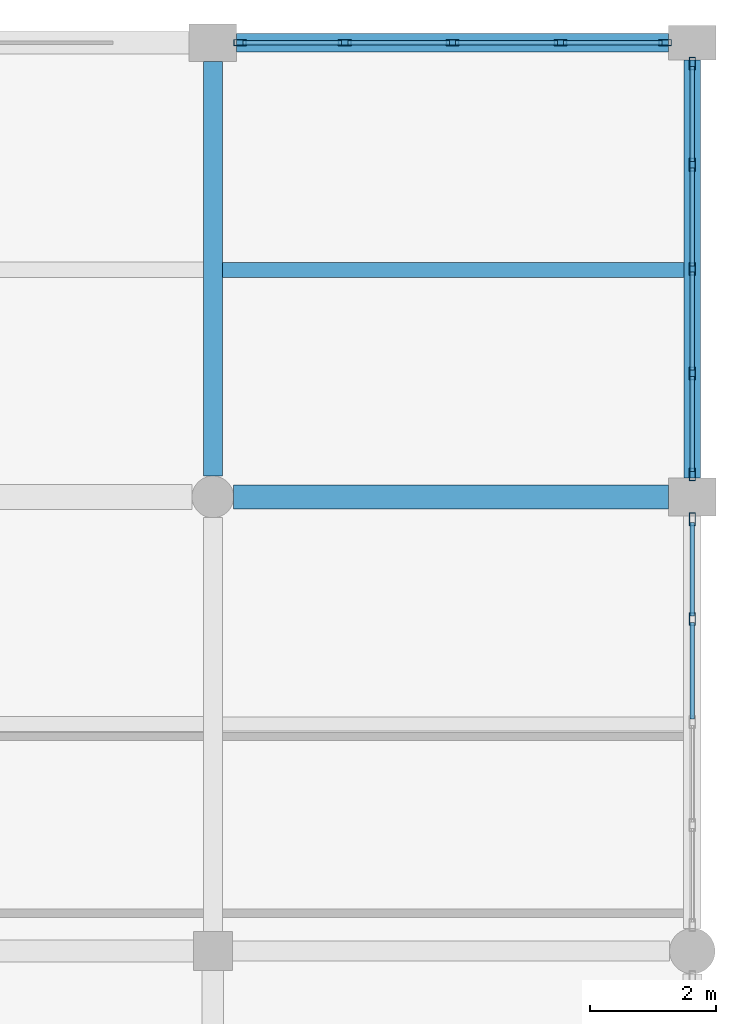
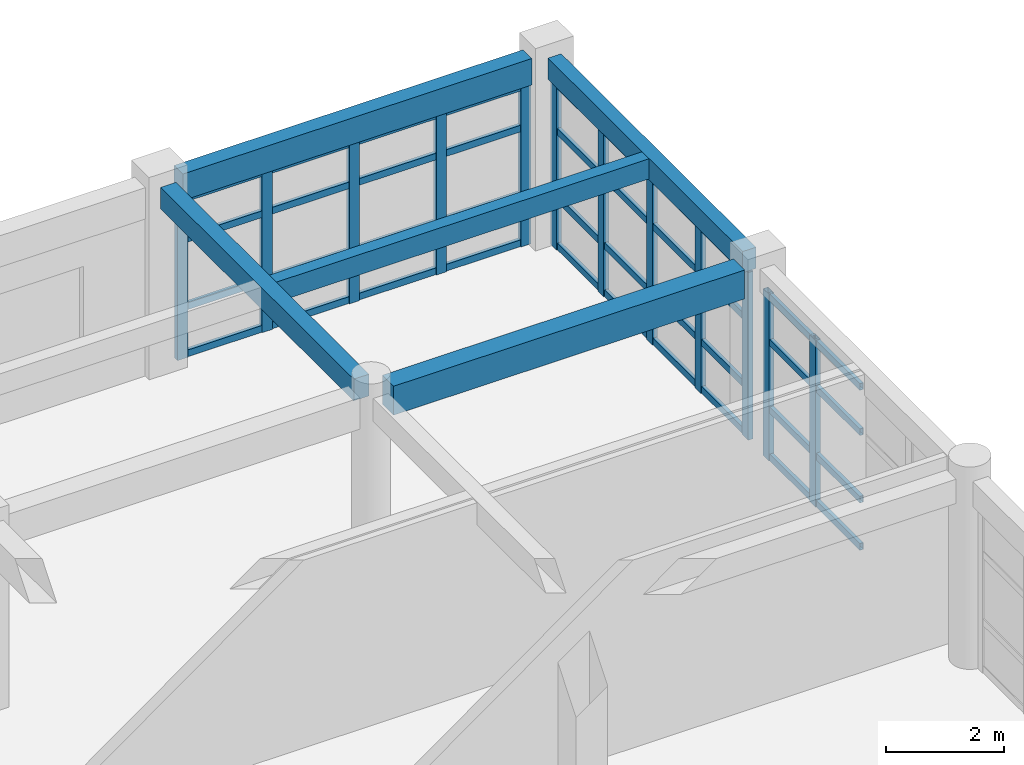
# One storey, part 141 of 195: 52 members, 5 beams, 3 elements without a shape of their own.
"""IFC4 building model written with IfcOpenShell, lengths in metres."""

import ifcopenshell
import ifcopenshell.guid

model = None  # the IFC model being written
_history = None  # IfcOwnerHistory: only IFC2X3 demands one
_inside = {}  # id of a spatial element -> (the spatial element, [elements in it])
_under = {}  # id of a project, library or spatial element -> (it, [spatial elements below it])
_declared = {}  # id of a project -> (the project, [libraries it declares])
_typed = {}  # id of a type object -> (the type object, [elements of that type])
_made_of = {}  # id of a material, layer set ... -> (it, [elements and type objects made of it])


def new_model(schema):
    """Start an empty IFC model of exactly this schema.

    Asked for "IFC4X3", IfcOpenShell would pick the latest addendum, in which some entities
    have other attributes; the version numbers below select the first issue.
    IFC2X3 requires an IfcOwnerHistory on every rooted entity: one is made here for all.
    """
    global model, _history
    if schema == "IFC4X3":
        model = ifcopenshell.file(schema_version=(4, 3, 0, 0))
    else:
        model = ifcopenshell.file(schema=schema)
    _inside.clear()
    _under.clear()
    _declared.clear()
    _typed.clear()
    _made_of.clear()
    _history = None
    if model.schema == "IFC2X3":
        org = make("IfcOrganization", Name="unknown")
        user = make(
            "IfcPersonAndOrganization",
            ThePerson=make("IfcPerson", FamilyName="unknown"),
            TheOrganization=org,
        )
        app = make(
            "IfcApplication",
            ApplicationDeveloper=org,
            Version="unknown",
            ApplicationFullName="unknown",
            ApplicationIdentifier="unknown",
        )
        _history = make(
            "IfcOwnerHistory",
            OwningUser=user,
            OwningApplication=app,
            ChangeAction="ADDED",
            CreationDate=0,
        )
    return model


def make(cls, **values):
    """One entity of the class cls with the attributes given. An attribute that is None is left unset."""
    return model.create_entity(
        cls, **{name: value for name, value in values.items() if value is not None}
    )


def rooted(cls, **values):
    """An entity with a GlobalId (a new one), such as an element, a storey or a relation."""
    return make(cls, GlobalId=ifcopenshell.guid.new(), OwnerHistory=_history, **values)


def si_unit(unit_type, name, prefix=None):
    """IfcSIUnit, for example si_unit("LENGTHUNIT", "METRE", prefix="MILLI")."""
    return make("IfcSIUnit", UnitType=unit_type, Prefix=prefix, Name=name)


def assignment(units):
    """IfcUnitAssignment: the units of a project."""
    return None if units is None else make("IfcUnitAssignment", Units=units)


def point(xyz):
    """IfcCartesianPoint."""
    return None if xyz is None else make("IfcCartesianPoint", Coordinates=xyz)


def direction(xyz):
    """IfcDirection."""
    return None if xyz is None else make("IfcDirection", DirectionRatios=xyz)


def frame(location, z_axis=None, x_axis=None):
    """IfcAxis2Placement3D, a coordinate frame: its origin and axes. An axis left out is left unset."""
    return make(
        "IfcAxis2Placement3D",
        Location=point(location),
        Axis=direction(z_axis),
        RefDirection=direction(x_axis),
    )


def frame_2d(location, x_axis=None):
    """IfcAxis2Placement2D, a coordinate frame in the plane: its origin and x axis."""
    return make(
        "IfcAxis2Placement2D", Location=point(location), RefDirection=direction(x_axis)
    )


def origin():
    """The frame at (0, 0, 0) with its axes left unset."""
    return frame((0.0, 0.0, 0.0))


def origin_2d():
    """The frame at (0, 0) in the plane with its x axis left unset."""
    return frame_2d((0.0, 0.0))


def place(relative_to, where):
    """IfcLocalPlacement: puts the frame where relative to a parent placement (None: the world)."""
    return make(
        "IfcLocalPlacement", PlacementRelTo=relative_to, RelativePlacement=where
    )


def context(
    kind, dimensions, precision=None, world=None, true_north=None, identifier=None
):
    """IfcGeometricRepresentationContext, for example the 3D "Model" context."""
    return make(
        "IfcGeometricRepresentationContext",
        ContextIdentifier=identifier,
        ContextType=kind,
        CoordinateSpaceDimension=dimensions,
        Precision=precision,
        WorldCoordinateSystem=world,
        TrueNorth=true_north,
    )


def subcontext(parent, identifier, kind, view, scale=None):
    """IfcGeometricRepresentationSubContext, for example "Body" below "Model"."""
    return make(
        "IfcGeometricRepresentationSubContext",
        ContextIdentifier=identifier,
        ContextType=kind,
        ParentContext=parent,
        TargetScale=scale,
        TargetView=view,
    )


def project(units=None, contexts=None):
    """IfcProject with its units and contexts."""
    return rooted(
        "IfcProject",
        Name="project",
        RepresentationContexts=contexts,
        UnitsInContext=assignment(units),
    )


def spatial(cls, under=None, at=None, **own):
    """A site, building, storey or space (cls), placed at a placement, below another one or the project."""
    s = rooted(cls, ObjectPlacement=at, **own)
    if under is not None:
        _under.setdefault(under.id(), (under, []))[1].append(s)
    return s


def profile(cls, at=None, kind="AREA", **sizes):
    """A parametric profile (cls). Its sizes go by their IFC names, for example OverallWidth=200.0."""
    return make(cls, ProfileType=kind, Position=at, **sizes)


def rectangle(**sizes):
    """IfcRectangleProfileDef."""
    return profile("IfcRectangleProfileDef", **sizes)


def hollow_rectangle(**sizes):
    """IfcRectangleHollowProfileDef."""
    return profile("IfcRectangleHollowProfileDef", **sizes)


def extrude(swept, where, along, depth):
    """IfcExtrudedAreaSolid: the profile swept, set in the frame where, extruded along a direction by depth."""
    return make(
        "IfcExtrudedAreaSolid",
        SweptArea=swept,
        Position=where,
        ExtrudedDirection=direction(along),
        Depth=depth,
    )


def shape(context_of_items, identifier, shape_type, items):
    """IfcShapeRepresentation: the items that make up one representation, for example the "Body"."""
    return make(
        "IfcShapeRepresentation",
        ContextOfItems=context_of_items,
        RepresentationIdentifier=identifier,
        RepresentationType=shape_type,
        Items=items,
    )


def material(Name=None, Category=None):
    """IfcMaterial."""
    return make("IfcMaterial", Name=Name, Category=Category)


def material_profile(
    of_material, cross_section, Name=None, Category=None, Priority=None
):
    """IfcMaterialProfile: a cross section and its material."""
    return make(
        "IfcMaterialProfile",
        Name=Name,
        Material=of_material,
        Profile=cross_section,
        Priority=Priority,
        Category=Category,
    )


def profile_set(profiles, Name=None, composite=None):
    """IfcMaterialProfileSet."""
    return make(
        "IfcMaterialProfileSet",
        Name=Name,
        MaterialProfiles=profiles,
        CompositeProfile=composite,
    )


def made_of(thing, what):
    """Note that an element or type object is made of a material, layer set ...; save() writes the relation."""
    if what is not None:
        _made_of.setdefault(what.id(), (what, []))[1].append(thing)
    return thing


def type_object(cls, material=None, **own):
    """A type object (cls), such as IfcWallType, which elements share."""
    return made_of(rooted(cls, **own), material)


def element(
    cls,
    number,
    at=None,
    inside=None,
    cuts=None,
    type_object=None,
    material=None,
    context=None,
    identifier="Body",
    shape_type=None,
    held_by="IfcProductDefinitionShape",
    body=None,
    shapes=None,
    **own,
):
    """One element of the class cls, such as IfcWall. Its Tag is "e" and its number.

    at: its placement. inside: the storey or other place that contains it. cuts: it is an
    opening in that element (IfcRelVoidsElement). A single representation is given by context,
    identifier, shape_type and body (its items); several are given by shapes. held_by: the class
    of the entity that holds the representations. save() writes the other relations.
    """
    e = rooted(cls, Tag="e%d" % number, ObjectPlacement=at, **own)
    if body is not None:
        shapes = [shape(context, identifier, shape_type, body)]
    if shapes is not None:
        e.Representation = make(held_by, Representations=shapes)
    if inside is not None:
        _inside.setdefault(inside.id(), (inside, []))[1].append(e)
    if cuts is not None:
        rooted(
            "IfcRelVoidsElement", RelatingBuildingElement=cuts, RelatedOpeningElement=e
        )
    if type_object is not None:
        _typed.setdefault(type_object.id(), (type_object, []))[1].append(e)
    return made_of(e, material)


def aggregate(whole, parts):
    """IfcRelAggregates: a whole, such as a stair, and the parts it consists of."""
    return rooted("IfcRelAggregates", RelatingObject=whole, RelatedObjects=parts)


def save(model, path):
    """Write the relations noted so far, then the file.

    IfcRelAggregates (storeys below a building ...), IfcRelContainedInSpatialStructure (elements
    in a storey), IfcRelDefinesByType, IfcRelAssociatesMaterial and IfcRelDeclares: one each for
    every whole, place, type object, material and project.
    """
    for whole, parts in _under.values():
        aggregate(whole, parts)
    for where, things in _inside.values():
        rooted(
            "IfcRelContainedInSpatialStructure",
            RelatedElements=things,
            RelatingStructure=where,
        )
    for kind, things in _typed.values():
        rooted("IfcRelDefinesByType", RelatedObjects=things, RelatingType=kind)
    for what, things in _made_of.values():
        rooted("IfcRelAssociatesMaterial", RelatedObjects=things, RelatingMaterial=what)
    for by, libraries in _declared.values():
        rooted("IfcRelDeclares", RelatingContext=by, RelatedDefinitions=libraries)
    model.write(path)


model = new_model("IFC4")

# Units and contexts
model_context = context("Model", 3, precision=1e-05, world=origin(), true_north=direction((0.0, 1.0)))
body_context = subcontext(model_context, "Body", "Model", "MODEL_VIEW")
ifc_project = project(units=[si_unit("LENGTHUNIT", "METRE"), si_unit("AREAUNIT", "SQUARE_METRE"), si_unit("VOLUMEUNIT", "CUBIC_METRE"), si_unit("PLANEANGLEUNIT", "RADIAN"), si_unit("MASSUNIT", "GRAM", prefix="KILO")], contexts=[model_context])

# Site, building, storey
site_placement = place(None, origin())
site = spatial("IfcSite", under=ifc_project, at=site_placement, CompositionType="ELEMENT")
building_placement = place(site_placement, origin())
building = spatial("IfcBuilding", under=site, at=building_placement, Name="Kharva Crest Polytechnic", CompositionType="ELEMENT")
storey_placement = place(building_placement, frame((0.0, 0.0, 9.0)))
storey = spatial("IfcBuildingStorey", under=building, at=storey_placement, Name="L02", CompositionType="ELEMENT", Elevation=9.0)

# Beams
ifc_material_1 = material(Name="Concrete C35/45", Category="concrete")
ifc_material_profile_1 = material_profile(ifc_material_1, rectangle(XDim=0.300048828125, YDim=0.449951171875, at=origin_2d()), Name="RECT 300 X 450")
ifc_profile_set_1 = profile_set([ifc_material_profile_1], Name="Concrete C35/45")
beam_type_1 = type_object("IfcBeamType", Name="BM-RC-300X450", PredefinedType="BEAM", material=ifc_profile_set_1)
beam_1_placement = place(storey_placement, frame((176.39990234375, 115.1298828125, 3.695068359375), z_axis=(0.0, 1.0, 0.0), x_axis=(-1.0, 0.0, 0.0)))
element("IfcBeam", 1, at=beam_1_placement, inside=storey, type_object=beam_type_1, Name="L02 Girder 23/R-S", PredefinedType="BEAM", context=body_context, shape_type="SweptSolid", body=[
    extrude(rectangle(XDim=0.300048828125, YDim=0.449951171875, at=origin_2d()), origin(), (0.0, 0.0, 1.0), 6.570068359375),
])
ifc_material_profile_2 = material_profile(ifc_material_1, rectangle(XDim=0.3798828125, YDim=0.60009765625, at=origin_2d()), Name="RECT 380 X 600")
ifc_profile_set_2 = profile_set([ifc_material_profile_2], Name="Concrete C35/45")
beam_type_2 = type_object("IfcBeamType", Name="BM-RC-380X600", PredefinedType="BEAM", material=ifc_profile_set_2)
beam_2_placement = place(storey_placement, frame((176.72998046875, 114.800048828125, 3.6201171875), z_axis=(1.0, 0.0, 0.0), x_axis=(0.0, 1.0, 0.0)))
element("IfcBeam", 2, at=beam_2_placement, inside=storey, type_object=beam_type_2, Name="L02 Beam R/23-24", PredefinedType="BEAM", context=body_context, shape_type="SweptSolid", body=[
    extrude(rectangle(XDim=0.3798828125, YDim=0.60009765625, at=origin_2d()), origin(), (0.0, 0.0, 1.0), 6.89501953125),
])

# Curtain wall, members
ifc_material_2 = material(Name="Tempered insulated glass", Category="glass")
curtain_wall_type = type_object("IfcCurtainWallType", Name="CW-SYS-LIBRARY", PredefinedType="USERDEFINED", material=ifc_material_2)
curtain_wall_1_placement = place(storey_placement, origin())
curtain_wall_1 = element("IfcCurtainWall", 3, at=curtain_wall_1_placement, inside=storey, type_object=curtain_wall_type, Name="L02 Glazed Curtain Wall CW-111", ObjectType="CURTAIN WALL", PredefinedType="USERDEFINED")
ifc_material_3 = material(Name="Steel S355", Category="steel")
ifc_material_profile_3 = material_profile(ifc_material_3, hollow_rectangle(XDim=0.10009765625, YDim=0.199951171875, WallThickness=0.00634765625, at=origin_2d()), Name="RHS 200X100X6.3")
ifc_profile_set_3 = profile_set([ifc_material_profile_3], Name="Steel S355")
member_type_1 = type_object("IfcMemberType", Name="CWM-RHS200X100", PredefinedType="MULLION", material=ifc_profile_set_3)
member_1_placement = place(storey_placement, frame((184.0, 112.862548828125, 0.0), z_axis=(0.0, 0.0, 1.0), x_axis=(-1.0, 0.0, 0.0)))
member_1 = element("IfcMember", 4, at=member_1_placement, type_object=member_type_1, Name="CW-111 mullion 4", PredefinedType="MULLION", context=body_context, shape_type="SweptSolid", body=[
    extrude(hollow_rectangle(XDim=0.10009765625, YDim=0.199951171875, WallThickness=0.00634765625, at=origin_2d()), origin(), (0.0, 0.0, 1.0), 3.4599609375),
])
member_2_placement = place(storey_placement, frame((184.0, 114.445068359375, 0.0), z_axis=(0.0, 0.0, 1.0), x_axis=(-1.0, 0.0, 0.0)))
member_2 = element("IfcMember", 5, at=member_2_placement, type_object=member_type_1, Name="CW-111 mullion 5", PredefinedType="MULLION", context=body_context, shape_type="SweptSolid", body=[
    extrude(hollow_rectangle(XDim=0.10009765625, YDim=0.199951171875, WallThickness=0.00634765625, at=origin_2d()), origin(), (0.0, 0.0, 1.0), 3.4599609375),
])

curtain_wall_2_placement = place(storey_placement, origin())
curtain_wall_2 = element("IfcCurtainWall", 6, at=curtain_wall_2_placement, inside=storey, type_object=curtain_wall_type, Name="L02 Glazed Curtain Wall CW-112", ObjectType="CURTAIN WALL", PredefinedType="USERDEFINED")
member_3_placement = place(storey_placement, frame((184.0, 115.155029296875, 0.0), z_axis=(0.0, 0.0, 1.0), x_axis=(-1.0, 0.0, 0.0)))
member_3 = element("IfcMember", 7, at=member_3_placement, type_object=member_type_1, Name="CW-112 mullion 1", PredefinedType="MULLION", context=body_context, shape_type="SweptSolid", body=[
    extrude(hollow_rectangle(XDim=0.10009765625, YDim=0.199951171875, WallThickness=0.00634765625, at=origin_2d()), origin(), (0.0, 0.0, 1.0), 3.47998046875),
])
member_4_placement = place(storey_placement, frame((184.0, 116.7587890625, 0.0), z_axis=(0.0, 0.0, 1.0), x_axis=(-1.0, 0.0, 0.0)))
member_4 = element("IfcMember", 8, at=member_4_placement, type_object=member_type_1, Name="CW-112 mullion 2", PredefinedType="MULLION", context=body_context, shape_type="SweptSolid", body=[
    extrude(hollow_rectangle(XDim=0.10009765625, YDim=0.199951171875, WallThickness=0.00634765625, at=origin_2d()), origin(), (0.0, 0.0, 1.0), 3.47998046875),
])
member_5_placement = place(storey_placement, frame((184.0, 118.41259765625, 0.0), z_axis=(0.0, 0.0, 1.0), x_axis=(-1.0, 0.0, 0.0)))
member_5 = element("IfcMember", 9, at=member_5_placement, type_object=member_type_1, Name="CW-112 mullion 3", PredefinedType="MULLION", context=body_context, shape_type="SweptSolid", body=[
    extrude(hollow_rectangle(XDim=0.10009765625, YDim=0.199951171875, WallThickness=0.00634765625, at=origin_2d()), origin(), (0.0, 0.0, 1.0), 3.47998046875),
])
member_6_placement = place(storey_placement, frame((184.0, 120.066162109375, 0.0), z_axis=(0.0, 0.0, 1.0), x_axis=(-1.0, 0.0, 0.0)))
member_6 = element("IfcMember", 10, at=member_6_placement, type_object=member_type_1, Name="CW-112 mullion 4", PredefinedType="MULLION", context=body_context, shape_type="SweptSolid", body=[
    extrude(hollow_rectangle(XDim=0.10009765625, YDim=0.199951171875, WallThickness=0.00634765625, at=origin_2d()), origin(), (0.0, 0.0, 1.0), 3.47998046875),
])
member_7_placement = place(storey_placement, frame((184.0, 121.669921875, 0.0), z_axis=(0.0, 0.0, 1.0), x_axis=(-1.0, 0.0, 0.0)))
member_7 = element("IfcMember", 11, at=member_7_placement, type_object=member_type_1, Name="CW-112 mullion 5", PredefinedType="MULLION", context=body_context, shape_type="SweptSolid", body=[
    extrude(hollow_rectangle(XDim=0.10009765625, YDim=0.199951171875, WallThickness=0.00634765625, at=origin_2d()), origin(), (0.0, 0.0, 1.0), 3.47998046875),
])

curtain_wall_3_placement = place(storey_placement, origin())
curtain_wall_3 = element("IfcCurtainWall", 12, at=curtain_wall_3_placement, inside=storey, type_object=curtain_wall_type, Name="L02 Glazed Curtain Wall CW-113", ObjectType="CURTAIN WALL", PredefinedType="USERDEFINED")
member_8_placement = place(storey_placement, frame((183.570068359375, 122.0, 0.0), z_axis=(0.0, 0.0, 1.0), x_axis=(0.0, -1.0, 0.0)))
member_8 = element("IfcMember", 13, at=member_8_placement, type_object=member_type_1, Name="CW-113 mullion 1", PredefinedType="MULLION", context=body_context, shape_type="SweptSolid", body=[
    extrude(hollow_rectangle(XDim=0.10009765625, YDim=0.199951171875, WallThickness=0.00634765625, at=origin_2d()), origin(), (0.0, 0.0, 1.0), 3.3701171875),
])
member_9_placement = place(storey_placement, frame((181.909912109375, 122.0, 0.0), z_axis=(0.0, 0.0, 1.0), x_axis=(0.0, -1.0, 0.0)))
member_9 = element("IfcMember", 14, at=member_9_placement, type_object=member_type_1, Name="CW-113 mullion 2", PredefinedType="MULLION", context=body_context, shape_type="SweptSolid", body=[
    extrude(hollow_rectangle(XDim=0.10009765625, YDim=0.199951171875, WallThickness=0.00634765625, at=origin_2d()), origin(), (0.0, 0.0, 1.0), 3.3701171875),
])
member_10_placement = place(storey_placement, frame((180.199951171875, 122.0, 0.0), z_axis=(0.0, 0.0, 1.0), x_axis=(0.0, -1.0, 0.0)))
member_10 = element("IfcMember", 15, at=member_10_placement, type_object=member_type_1, Name="CW-113 mullion 3", PredefinedType="MULLION", context=body_context, shape_type="SweptSolid", body=[
    extrude(hollow_rectangle(XDim=0.10009765625, YDim=0.199951171875, WallThickness=0.00634765625, at=origin_2d()), origin(), (0.0, 0.0, 1.0), 3.3701171875),
])
member_11_placement = place(storey_placement, frame((178.489990234375, 122.0, 0.0), z_axis=(0.0, 0.0, 1.0), x_axis=(0.0, -1.0, 0.0)))
member_11 = element("IfcMember", 16, at=member_11_placement, type_object=member_type_1, Name="CW-113 mullion 4", PredefinedType="MULLION", context=body_context, shape_type="SweptSolid", body=[
    extrude(hollow_rectangle(XDim=0.10009765625, YDim=0.199951171875, WallThickness=0.00634765625, at=origin_2d()), origin(), (0.0, 0.0, 1.0), 3.3701171875),
])
member_12_placement = place(storey_placement, frame((176.830078125, 122.0, 0.0), z_axis=(0.0, 0.0, 1.0), x_axis=(0.0, -1.0, 0.0)))
member_12 = element("IfcMember", 17, at=member_12_placement, type_object=member_type_1, Name="CW-113 mullion 5", PredefinedType="MULLION", context=body_context, shape_type="SweptSolid", body=[
    extrude(hollow_rectangle(XDim=0.10009765625, YDim=0.199951171875, WallThickness=0.00634765625, at=origin_2d()), origin(), (0.0, 0.0, 1.0), 3.3701171875),
])

# Member
ifc_material_profile_4 = material_profile(ifc_material_3, hollow_rectangle(XDim=0.070068359375, YDim=0.139892578125, WallThickness=0.00390625, at=origin_2d()), Name="RHS 140X70X4.0")
ifc_profile_set_4 = profile_set([ifc_material_profile_4], Name="Steel S355")
member_type_2 = type_object("IfcMemberType", Name="CWT-RHS140X70", PredefinedType="USERDEFINED", material=ifc_profile_set_4)
member_13_placement = place(storey_placement, frame((184.0, 111.280029296875, 0.070068359375), z_axis=(0.0, 1.0, 0.0), x_axis=(-1.0, 0.0, 0.0)))
member_13 = element("IfcMember", 18, at=member_13_placement, type_object=member_type_2, Name="CW-111 transom 3.1", ObjectType="TRANSOM", PredefinedType="USERDEFINED", context=body_context, shape_type="SweptSolid", body=[
    extrude(hollow_rectangle(XDim=0.070068359375, YDim=0.139892578125, WallThickness=0.00390625, at=origin_2d()), origin(), (0.0, 0.0, 1.0), 1.532470703125),
])

member_14_placement = place(storey_placement, frame((184.0, 111.280029296875, 1.050048828125), z_axis=(0.0, 1.0, 0.0), x_axis=(-1.0, 0.0, 0.0)))
member_14 = element("IfcMember", 19, at=member_14_placement, type_object=member_type_2, Name="CW-111 transom 3.2", ObjectType="TRANSOM", PredefinedType="USERDEFINED", context=body_context, shape_type="SweptSolid", body=[
    extrude(hollow_rectangle(XDim=0.070068359375, YDim=0.139892578125, WallThickness=0.00390625, at=origin_2d()), origin(), (0.0, 0.0, 1.0), 1.532470703125),
])

member_15_placement = place(storey_placement, frame((184.0, 111.280029296875, 2.449951171875), z_axis=(0.0, 1.0, 0.0), x_axis=(-1.0, 0.0, 0.0)))
member_15 = element("IfcMember", 20, at=member_15_placement, type_object=member_type_2, Name="CW-111 transom 3.3", ObjectType="TRANSOM", PredefinedType="USERDEFINED", context=body_context, shape_type="SweptSolid", body=[
    extrude(hollow_rectangle(XDim=0.070068359375, YDim=0.139892578125, WallThickness=0.00390625, at=origin_2d()), origin(), (0.0, 0.0, 1.0), 1.532470703125),
])

member_16_placement = place(storey_placement, frame((184.0, 111.280029296875, 3.389892578125), z_axis=(0.0, 1.0, 0.0), x_axis=(-1.0, 0.0, 0.0)))
member_16 = element("IfcMember", 21, at=member_16_placement, type_object=member_type_2, Name="CW-111 transom 3.4", ObjectType="TRANSOM", PredefinedType="USERDEFINED", context=body_context, shape_type="SweptSolid", body=[
    extrude(hollow_rectangle(XDim=0.070068359375, YDim=0.139892578125, WallThickness=0.00390625, at=origin_2d()), origin(), (0.0, 0.0, 1.0), 1.532470703125),
])

member_17_placement = place(storey_placement, frame((184.0, 112.91259765625, 0.070068359375), z_axis=(0.0, 1.0, 0.0), x_axis=(-1.0, 0.0, 0.0)))
member_17 = element("IfcMember", 22, at=member_17_placement, type_object=member_type_2, Name="CW-111 transom 4.1", ObjectType="TRANSOM", PredefinedType="USERDEFINED", context=body_context, shape_type="SweptSolid", body=[
    extrude(hollow_rectangle(XDim=0.070068359375, YDim=0.139892578125, WallThickness=0.00390625, at=origin_2d()), origin(), (0.0, 0.0, 1.0), 1.482421875),
])

member_18_placement = place(storey_placement, frame((184.0, 112.91259765625, 1.050048828125), z_axis=(0.0, 1.0, 0.0), x_axis=(-1.0, 0.0, 0.0)))
member_18 = element("IfcMember", 23, at=member_18_placement, type_object=member_type_2, Name="CW-111 transom 4.2", ObjectType="TRANSOM", PredefinedType="USERDEFINED", context=body_context, shape_type="SweptSolid", body=[
    extrude(hollow_rectangle(XDim=0.070068359375, YDim=0.139892578125, WallThickness=0.00390625, at=origin_2d()), origin(), (0.0, 0.0, 1.0), 1.482421875),
])

member_19_placement = place(storey_placement, frame((184.0, 112.91259765625, 2.449951171875), z_axis=(0.0, 1.0, 0.0), x_axis=(-1.0, 0.0, 0.0)))
member_19 = element("IfcMember", 24, at=member_19_placement, type_object=member_type_2, Name="CW-111 transom 4.3", ObjectType="TRANSOM", PredefinedType="USERDEFINED", context=body_context, shape_type="SweptSolid", body=[
    extrude(hollow_rectangle(XDim=0.070068359375, YDim=0.139892578125, WallThickness=0.00390625, at=origin_2d()), origin(), (0.0, 0.0, 1.0), 1.482421875),
])

member_20_placement = place(storey_placement, frame((184.0, 112.91259765625, 3.389892578125), z_axis=(0.0, 1.0, 0.0), x_axis=(-1.0, 0.0, 0.0)))
member_20 = element("IfcMember", 25, at=member_20_placement, type_object=member_type_2, Name="CW-111 transom 4.4", ObjectType="TRANSOM", PredefinedType="USERDEFINED", context=body_context, shape_type="SweptSolid", body=[
    extrude(hollow_rectangle(XDim=0.070068359375, YDim=0.139892578125, WallThickness=0.00390625, at=origin_2d()), origin(), (0.0, 0.0, 1.0), 1.482421875),
])

aggregate(curtain_wall_1, [member_1, member_2, member_13, member_14, member_15, member_16, member_17, member_18, member_19, member_20])

member_21_placement = place(storey_placement, frame((184.0, 115.205078125, 0.070068359375), z_axis=(0.0, 1.0, 0.0), x_axis=(-1.0, 0.0, 0.0)))
member_21 = element("IfcMember", 26, at=member_21_placement, type_object=member_type_2, Name="CW-112 transom 1.1", ObjectType="TRANSOM", PredefinedType="USERDEFINED", context=body_context, shape_type="SweptSolid", body=[
    extrude(hollow_rectangle(XDim=0.070068359375, YDim=0.139892578125, WallThickness=0.00390625, at=origin_2d()), origin(), (0.0, 0.0, 1.0), 1.503662109375),
])

member_22_placement = place(storey_placement, frame((184.0, 115.205078125, 1.050048828125), z_axis=(0.0, 1.0, 0.0), x_axis=(-1.0, 0.0, 0.0)))
member_22 = element("IfcMember", 27, at=member_22_placement, type_object=member_type_2, Name="CW-112 transom 1.2", ObjectType="TRANSOM", PredefinedType="USERDEFINED", context=body_context, shape_type="SweptSolid", body=[
    extrude(hollow_rectangle(XDim=0.070068359375, YDim=0.139892578125, WallThickness=0.00390625, at=origin_2d()), origin(), (0.0, 0.0, 1.0), 1.503662109375),
])

member_23_placement = place(storey_placement, frame((184.0, 115.205078125, 2.449951171875), z_axis=(0.0, 1.0, 0.0), x_axis=(-1.0, 0.0, 0.0)))
member_23 = element("IfcMember", 28, at=member_23_placement, type_object=member_type_2, Name="CW-112 transom 1.3", ObjectType="TRANSOM", PredefinedType="USERDEFINED", context=body_context, shape_type="SweptSolid", body=[
    extrude(hollow_rectangle(XDim=0.070068359375, YDim=0.139892578125, WallThickness=0.00390625, at=origin_2d()), origin(), (0.0, 0.0, 1.0), 1.503662109375),
])

member_24_placement = place(storey_placement, frame((184.0, 115.205078125, 3.409912109375), z_axis=(0.0, 1.0, 0.0), x_axis=(-1.0, 0.0, 0.0)))
member_24 = element("IfcMember", 29, at=member_24_placement, type_object=member_type_2, Name="CW-112 transom 1.4", ObjectType="TRANSOM", PredefinedType="USERDEFINED", context=body_context, shape_type="SweptSolid", body=[
    extrude(hollow_rectangle(XDim=0.070068359375, YDim=0.139892578125, WallThickness=0.00390625, at=origin_2d()), origin(), (0.0, 0.0, 1.0), 1.503662109375),
])

member_25_placement = place(storey_placement, frame((184.0, 116.808837890625, 0.070068359375), z_axis=(0.0, 1.0, 0.0), x_axis=(-1.0, 0.0, 0.0)))
member_25 = element("IfcMember", 30, at=member_25_placement, type_object=member_type_2, Name="CW-112 transom 2.1", ObjectType="TRANSOM", PredefinedType="USERDEFINED", context=body_context, shape_type="SweptSolid", body=[
    extrude(hollow_rectangle(XDim=0.070068359375, YDim=0.139892578125, WallThickness=0.00390625, at=origin_2d()), origin(), (0.0, 0.0, 1.0), 1.5537109375),
])

member_26_placement = place(storey_placement, frame((184.0, 116.808837890625, 1.050048828125), z_axis=(0.0, 1.0, 0.0), x_axis=(-1.0, 0.0, 0.0)))
member_26 = element("IfcMember", 31, at=member_26_placement, type_object=member_type_2, Name="CW-112 transom 2.2", ObjectType="TRANSOM", PredefinedType="USERDEFINED", context=body_context, shape_type="SweptSolid", body=[
    extrude(hollow_rectangle(XDim=0.070068359375, YDim=0.139892578125, WallThickness=0.00390625, at=origin_2d()), origin(), (0.0, 0.0, 1.0), 1.5537109375),
])

member_27_placement = place(storey_placement, frame((184.0, 116.808837890625, 2.449951171875), z_axis=(0.0, 1.0, 0.0), x_axis=(-1.0, 0.0, 0.0)))
member_27 = element("IfcMember", 32, at=member_27_placement, type_object=member_type_2, Name="CW-112 transom 2.3", ObjectType="TRANSOM", PredefinedType="USERDEFINED", context=body_context, shape_type="SweptSolid", body=[
    extrude(hollow_rectangle(XDim=0.070068359375, YDim=0.139892578125, WallThickness=0.00390625, at=origin_2d()), origin(), (0.0, 0.0, 1.0), 1.5537109375),
])

member_28_placement = place(storey_placement, frame((184.0, 116.808837890625, 3.409912109375), z_axis=(0.0, 1.0, 0.0), x_axis=(-1.0, 0.0, 0.0)))
member_28 = element("IfcMember", 33, at=member_28_placement, type_object=member_type_2, Name="CW-112 transom 2.4", ObjectType="TRANSOM", PredefinedType="USERDEFINED", context=body_context, shape_type="SweptSolid", body=[
    extrude(hollow_rectangle(XDim=0.070068359375, YDim=0.139892578125, WallThickness=0.00390625, at=origin_2d()), origin(), (0.0, 0.0, 1.0), 1.5537109375),
])

member_29_placement = place(storey_placement, frame((184.0, 118.46240234375, 0.070068359375), z_axis=(0.0, 1.0, 0.0), x_axis=(-1.0, 0.0, 0.0)))
member_29 = element("IfcMember", 34, at=member_29_placement, type_object=member_type_2, Name="CW-112 transom 3.1", ObjectType="TRANSOM", PredefinedType="USERDEFINED", context=body_context, shape_type="SweptSolid", body=[
    extrude(hollow_rectangle(XDim=0.070068359375, YDim=0.139892578125, WallThickness=0.00390625, at=origin_2d()), origin(), (0.0, 0.0, 1.0), 1.553955078125),
])

member_30_placement = place(storey_placement, frame((184.0, 118.46240234375, 1.050048828125), z_axis=(0.0, 1.0, 0.0), x_axis=(-1.0, 0.0, 0.0)))
member_30 = element("IfcMember", 35, at=member_30_placement, type_object=member_type_2, Name="CW-112 transom 3.2", ObjectType="TRANSOM", PredefinedType="USERDEFINED", context=body_context, shape_type="SweptSolid", body=[
    extrude(hollow_rectangle(XDim=0.070068359375, YDim=0.139892578125, WallThickness=0.00390625, at=origin_2d()), origin(), (0.0, 0.0, 1.0), 1.553955078125),
])

member_31_placement = place(storey_placement, frame((184.0, 118.46240234375, 2.449951171875), z_axis=(0.0, 1.0, 0.0), x_axis=(-1.0, 0.0, 0.0)))
member_31 = element("IfcMember", 36, at=member_31_placement, type_object=member_type_2, Name="CW-112 transom 3.3", ObjectType="TRANSOM", PredefinedType="USERDEFINED", context=body_context, shape_type="SweptSolid", body=[
    extrude(hollow_rectangle(XDim=0.070068359375, YDim=0.139892578125, WallThickness=0.00390625, at=origin_2d()), origin(), (0.0, 0.0, 1.0), 1.553955078125),
])

member_32_placement = place(storey_placement, frame((184.0, 118.46240234375, 3.409912109375), z_axis=(0.0, 1.0, 0.0), x_axis=(-1.0, 0.0, 0.0)))
member_32 = element("IfcMember", 37, at=member_32_placement, type_object=member_type_2, Name="CW-112 transom 3.4", ObjectType="TRANSOM", PredefinedType="USERDEFINED", context=body_context, shape_type="SweptSolid", body=[
    extrude(hollow_rectangle(XDim=0.070068359375, YDim=0.139892578125, WallThickness=0.00390625, at=origin_2d()), origin(), (0.0, 0.0, 1.0), 1.553955078125),
])

member_33_placement = place(storey_placement, frame((184.0, 120.1162109375, 0.070068359375), z_axis=(0.0, 1.0, 0.0), x_axis=(-1.0, 0.0, 0.0)))
member_33 = element("IfcMember", 38, at=member_33_placement, type_object=member_type_2, Name="CW-112 transom 4.1", ObjectType="TRANSOM", PredefinedType="USERDEFINED", context=body_context, shape_type="SweptSolid", body=[
    extrude(hollow_rectangle(XDim=0.070068359375, YDim=0.139892578125, WallThickness=0.00390625, at=origin_2d()), origin(), (0.0, 0.0, 1.0), 1.50390625),
])

member_34_placement = place(storey_placement, frame((184.0, 120.1162109375, 1.050048828125), z_axis=(0.0, 1.0, 0.0), x_axis=(-1.0, 0.0, 0.0)))
member_34 = element("IfcMember", 39, at=member_34_placement, type_object=member_type_2, Name="CW-112 transom 4.2", ObjectType="TRANSOM", PredefinedType="USERDEFINED", context=body_context, shape_type="SweptSolid", body=[
    extrude(hollow_rectangle(XDim=0.070068359375, YDim=0.139892578125, WallThickness=0.00390625, at=origin_2d()), origin(), (0.0, 0.0, 1.0), 1.50390625),
])

member_35_placement = place(storey_placement, frame((184.0, 120.1162109375, 2.449951171875), z_axis=(0.0, 1.0, 0.0), x_axis=(-1.0, 0.0, 0.0)))
member_35 = element("IfcMember", 40, at=member_35_placement, type_object=member_type_2, Name="CW-112 transom 4.3", ObjectType="TRANSOM", PredefinedType="USERDEFINED", context=body_context, shape_type="SweptSolid", body=[
    extrude(hollow_rectangle(XDim=0.070068359375, YDim=0.139892578125, WallThickness=0.00390625, at=origin_2d()), origin(), (0.0, 0.0, 1.0), 1.50390625),
])

member_36_placement = place(storey_placement, frame((184.0, 120.1162109375, 3.409912109375), z_axis=(0.0, 1.0, 0.0), x_axis=(-1.0, 0.0, 0.0)))
member_36 = element("IfcMember", 41, at=member_36_placement, type_object=member_type_2, Name="CW-112 transom 4.4", ObjectType="TRANSOM", PredefinedType="USERDEFINED", context=body_context, shape_type="SweptSolid", body=[
    extrude(hollow_rectangle(XDim=0.070068359375, YDim=0.139892578125, WallThickness=0.00390625, at=origin_2d()), origin(), (0.0, 0.0, 1.0), 1.50390625),
])

aggregate(curtain_wall_2, [member_3, member_4, member_5, member_6, member_7, member_21, member_22, member_23, member_24, member_25, member_26, member_27, member_28, member_29, member_30, member_31, member_32, member_33, member_34, member_35, member_36])

member_37_placement = place(storey_placement, frame((183.52001953125, 122.0, 0.070068359375), z_axis=(-1.0, 0.0, 0.0), x_axis=(0.0, -1.0, 0.0)))
member_37 = element("IfcMember", 42, at=member_37_placement, type_object=member_type_2, Name="CW-113 transom 1.1", ObjectType="TRANSOM", PredefinedType="USERDEFINED", context=body_context, shape_type="SweptSolid", body=[
    extrude(hollow_rectangle(XDim=0.070068359375, YDim=0.139892578125, WallThickness=0.00390625, at=origin_2d()), origin(), (0.0, 0.0, 1.0), 1.56005859375),
])

member_38_placement = place(storey_placement, frame((183.52001953125, 122.0, 1.050048828125), z_axis=(-1.0, 0.0, 0.0), x_axis=(0.0, -1.0, 0.0)))
member_38 = element("IfcMember", 43, at=member_38_placement, type_object=member_type_2, Name="CW-113 transom 1.2", ObjectType="TRANSOM", PredefinedType="USERDEFINED", context=body_context, shape_type="SweptSolid", body=[
    extrude(hollow_rectangle(XDim=0.070068359375, YDim=0.139892578125, WallThickness=0.00390625, at=origin_2d()), origin(), (0.0, 0.0, 1.0), 1.56005859375),
])

member_39_placement = place(storey_placement, frame((183.52001953125, 122.0, 2.449951171875), z_axis=(-1.0, 0.0, 0.0), x_axis=(0.0, -1.0, 0.0)))
member_39 = element("IfcMember", 44, at=member_39_placement, type_object=member_type_2, Name="CW-113 transom 1.3", ObjectType="TRANSOM", PredefinedType="USERDEFINED", context=body_context, shape_type="SweptSolid", body=[
    extrude(hollow_rectangle(XDim=0.070068359375, YDim=0.139892578125, WallThickness=0.00390625, at=origin_2d()), origin(), (0.0, 0.0, 1.0), 1.56005859375),
])

member_40_placement = place(storey_placement, frame((183.52001953125, 122.0, 3.300048828125), z_axis=(-1.0, 0.0, 0.0), x_axis=(0.0, -1.0, 0.0)))
member_40 = element("IfcMember", 45, at=member_40_placement, type_object=member_type_2, Name="CW-113 transom 1.4", ObjectType="TRANSOM", PredefinedType="USERDEFINED", context=body_context, shape_type="SweptSolid", body=[
    extrude(hollow_rectangle(XDim=0.070068359375, YDim=0.139892578125, WallThickness=0.00390625, at=origin_2d()), origin(), (0.0, 0.0, 1.0), 1.56005859375),
])

member_41_placement = place(storey_placement, frame((181.860107421875, 122.0, 0.070068359375), z_axis=(-1.0, 0.0, 0.0), x_axis=(0.0, -1.0, 0.0)))
member_41 = element("IfcMember", 46, at=member_41_placement, type_object=member_type_2, Name="CW-113 transom 2.1", ObjectType="TRANSOM", PredefinedType="USERDEFINED", context=body_context, shape_type="SweptSolid", body=[
    extrude(hollow_rectangle(XDim=0.070068359375, YDim=0.139892578125, WallThickness=0.00390625, at=origin_2d()), origin(), (0.0, 0.0, 1.0), 1.610107421875),
])

member_42_placement = place(storey_placement, frame((181.860107421875, 122.0, 1.050048828125), z_axis=(-1.0, 0.0, 0.0), x_axis=(0.0, -1.0, 0.0)))
member_42 = element("IfcMember", 47, at=member_42_placement, type_object=member_type_2, Name="CW-113 transom 2.2", ObjectType="TRANSOM", PredefinedType="USERDEFINED", context=body_context, shape_type="SweptSolid", body=[
    extrude(hollow_rectangle(XDim=0.070068359375, YDim=0.139892578125, WallThickness=0.00390625, at=origin_2d()), origin(), (0.0, 0.0, 1.0), 1.610107421875),
])

member_43_placement = place(storey_placement, frame((181.860107421875, 122.0, 2.449951171875), z_axis=(-1.0, 0.0, 0.0), x_axis=(0.0, -1.0, 0.0)))
member_43 = element("IfcMember", 48, at=member_43_placement, type_object=member_type_2, Name="CW-113 transom 2.3", ObjectType="TRANSOM", PredefinedType="USERDEFINED", context=body_context, shape_type="SweptSolid", body=[
    extrude(hollow_rectangle(XDim=0.070068359375, YDim=0.139892578125, WallThickness=0.00390625, at=origin_2d()), origin(), (0.0, 0.0, 1.0), 1.610107421875),
])

member_44_placement = place(storey_placement, frame((181.860107421875, 122.0, 3.300048828125), z_axis=(-1.0, 0.0, 0.0), x_axis=(0.0, -1.0, 0.0)))
member_44 = element("IfcMember", 49, at=member_44_placement, type_object=member_type_2, Name="CW-113 transom 2.4", ObjectType="TRANSOM", PredefinedType="USERDEFINED", context=body_context, shape_type="SweptSolid", body=[
    extrude(hollow_rectangle(XDim=0.070068359375, YDim=0.139892578125, WallThickness=0.00390625, at=origin_2d()), origin(), (0.0, 0.0, 1.0), 1.610107421875),
])

member_45_placement = place(storey_placement, frame((180.14990234375, 122.0, 0.070068359375), z_axis=(-1.0, 0.0, 0.0), x_axis=(0.0, -1.0, 0.0)))
member_45 = element("IfcMember", 50, at=member_45_placement, type_object=member_type_2, Name="CW-113 transom 3.1", ObjectType="TRANSOM", PredefinedType="USERDEFINED", context=body_context, shape_type="SweptSolid", body=[
    extrude(hollow_rectangle(XDim=0.070068359375, YDim=0.139892578125, WallThickness=0.00390625, at=origin_2d()), origin(), (0.0, 0.0, 1.0), 1.60986328125),
])

member_46_placement = place(storey_placement, frame((180.14990234375, 122.0, 1.050048828125), z_axis=(-1.0, 0.0, 0.0), x_axis=(0.0, -1.0, 0.0)))
member_46 = element("IfcMember", 51, at=member_46_placement, type_object=member_type_2, Name="CW-113 transom 3.2", ObjectType="TRANSOM", PredefinedType="USERDEFINED", context=body_context, shape_type="SweptSolid", body=[
    extrude(hollow_rectangle(XDim=0.070068359375, YDim=0.139892578125, WallThickness=0.00390625, at=origin_2d()), origin(), (0.0, 0.0, 1.0), 1.60986328125),
])

member_47_placement = place(storey_placement, frame((180.14990234375, 122.0, 2.449951171875), z_axis=(-1.0, 0.0, 0.0), x_axis=(0.0, -1.0, 0.0)))
member_47 = element("IfcMember", 52, at=member_47_placement, type_object=member_type_2, Name="CW-113 transom 3.3", ObjectType="TRANSOM", PredefinedType="USERDEFINED", context=body_context, shape_type="SweptSolid", body=[
    extrude(hollow_rectangle(XDim=0.070068359375, YDim=0.139892578125, WallThickness=0.00390625, at=origin_2d()), origin(), (0.0, 0.0, 1.0), 1.60986328125),
])

member_48_placement = place(storey_placement, frame((180.14990234375, 122.0, 3.300048828125), z_axis=(-1.0, 0.0, 0.0), x_axis=(0.0, -1.0, 0.0)))
member_48 = element("IfcMember", 53, at=member_48_placement, type_object=member_type_2, Name="CW-113 transom 3.4", ObjectType="TRANSOM", PredefinedType="USERDEFINED", context=body_context, shape_type="SweptSolid", body=[
    extrude(hollow_rectangle(XDim=0.070068359375, YDim=0.139892578125, WallThickness=0.00390625, at=origin_2d()), origin(), (0.0, 0.0, 1.0), 1.60986328125),
])

member_49_placement = place(storey_placement, frame((178.43994140625, 122.0, 0.070068359375), z_axis=(-1.0, 0.0, 0.0), x_axis=(0.0, -1.0, 0.0)))
member_49 = element("IfcMember", 54, at=member_49_placement, type_object=member_type_2, Name="CW-113 transom 4.1", ObjectType="TRANSOM", PredefinedType="USERDEFINED", context=body_context, shape_type="SweptSolid", body=[
    extrude(hollow_rectangle(XDim=0.070068359375, YDim=0.139892578125, WallThickness=0.00390625, at=origin_2d()), origin(), (0.0, 0.0, 1.0), 1.56005859375),
])

member_50_placement = place(storey_placement, frame((178.43994140625, 122.0, 1.050048828125), z_axis=(-1.0, 0.0, 0.0), x_axis=(0.0, -1.0, 0.0)))
member_50 = element("IfcMember", 55, at=member_50_placement, type_object=member_type_2, Name="CW-113 transom 4.2", ObjectType="TRANSOM", PredefinedType="USERDEFINED", context=body_context, shape_type="SweptSolid", body=[
    extrude(hollow_rectangle(XDim=0.070068359375, YDim=0.139892578125, WallThickness=0.00390625, at=origin_2d()), origin(), (0.0, 0.0, 1.0), 1.56005859375),
])

member_51_placement = place(storey_placement, frame((178.43994140625, 122.0, 2.449951171875), z_axis=(-1.0, 0.0, 0.0), x_axis=(0.0, -1.0, 0.0)))
member_51 = element("IfcMember", 56, at=member_51_placement, type_object=member_type_2, Name="CW-113 transom 4.3", ObjectType="TRANSOM", PredefinedType="USERDEFINED", context=body_context, shape_type="SweptSolid", body=[
    extrude(hollow_rectangle(XDim=0.070068359375, YDim=0.139892578125, WallThickness=0.00390625, at=origin_2d()), origin(), (0.0, 0.0, 1.0), 1.56005859375),
])

member_52_placement = place(storey_placement, frame((178.43994140625, 122.0, 3.300048828125), z_axis=(-1.0, 0.0, 0.0), x_axis=(0.0, -1.0, 0.0)))
member_52 = element("IfcMember", 57, at=member_52_placement, type_object=member_type_2, Name="CW-113 transom 4.4", ObjectType="TRANSOM", PredefinedType="USERDEFINED", context=body_context, shape_type="SweptSolid", body=[
    extrude(hollow_rectangle(XDim=0.070068359375, YDim=0.139892578125, WallThickness=0.00390625, at=origin_2d()), origin(), (0.0, 0.0, 1.0), 1.56005859375),
])

aggregate(curtain_wall_3, [member_8, member_9, member_10, member_11, member_12, member_37, member_38, member_39, member_40, member_41, member_42, member_43, member_44, member_45, member_46, member_47, member_48, member_49, member_50, member_51, member_52])

# Beams
ifc_material_profile_5 = material_profile(ifc_material_1, rectangle(XDim=0.239990234375, YDim=0.419921875, at=origin_2d()), Name="RECT 240 X 420")
ifc_profile_set_5 = profile_set([ifc_material_profile_5], Name="Concrete C35/45")
beam_type_3 = type_object("IfcBeamType", Name="JS-RC-240X420", PredefinedType="JOIST", material=ifc_profile_set_5)
beam_3_placement = place(storey_placement, frame((176.550048828125, 118.39990234375, 3.7099609375), z_axis=(1.0, 0.0, 0.0), x_axis=(0.0, 1.0, 0.0)))
element("IfcBeam", 58, at=beam_3_placement, inside=storey, type_object=beam_type_3, Name="L02 Floor Joist 63", PredefinedType="JOIST", context=body_context, shape_type="SweptSolid", body=[
    extrude(rectangle(XDim=0.239990234375, YDim=0.419921875, at=origin_2d()), origin(), (0.0, 0.0, 1.0), 7.320068359375),
])
ifc_material_profile_6 = material_profile(ifc_material_1, rectangle(XDim=0.260009765625, YDim=0.43994140625, at=origin_2d()), Name="RECT 260 X 440")
ifc_profile_set_6 = profile_set([ifc_material_profile_6], Name="Concrete C35/45")
beam_type_4 = type_object("IfcBeamType", Name="SP-RC-260X440", PredefinedType="SPANDREL", material=ifc_profile_set_6)
beam_4_placement = place(storey_placement, frame((184.0, 115.10009765625, 3.699951171875), z_axis=(0.0, 1.0, 0.0), x_axis=(-1.0, 0.0, 0.0)))
element("IfcBeam", 59, at=beam_4_placement, inside=storey, type_object=beam_type_4, Name="L02 Girder 24/R-S", PredefinedType="SPANDREL", context=body_context, shape_type="SweptSolid", body=[
    extrude(rectangle(XDim=0.260009765625, YDim=0.43994140625, at=origin_2d()), origin(), (0.0, 0.0, 1.0), 6.625),
])
ifc_material_profile_7 = material_profile(ifc_material_1, rectangle(XDim=0.300048828125, YDim=0.550048828125, at=origin_2d()), Name="RECT 300 X 550")
ifc_profile_set_7 = profile_set([ifc_material_profile_7], Name="Concrete C35/45")
beam_type_5 = type_object("IfcBeamType", Name="SP-RC-300X550", PredefinedType="SPANDREL", material=ifc_profile_set_7)
beam_5_placement = place(storey_placement, frame((176.77490234375, 122.0, 3.64501953125), z_axis=(1.0, 0.0, 0.0), x_axis=(0.0, 1.0, 0.0)))
element("IfcBeam", 60, at=beam_5_placement, inside=storey, type_object=beam_type_5, Name="L02 Beam S/23-24", PredefinedType="SPANDREL", context=body_context, shape_type="SweptSolid", body=[
    extrude(rectangle(XDim=0.300048828125, YDim=0.550048828125, at=origin_2d()), origin(), (0.0, 0.0, 1.0), 6.85009765625),
])

save(model, "model.ifc")
